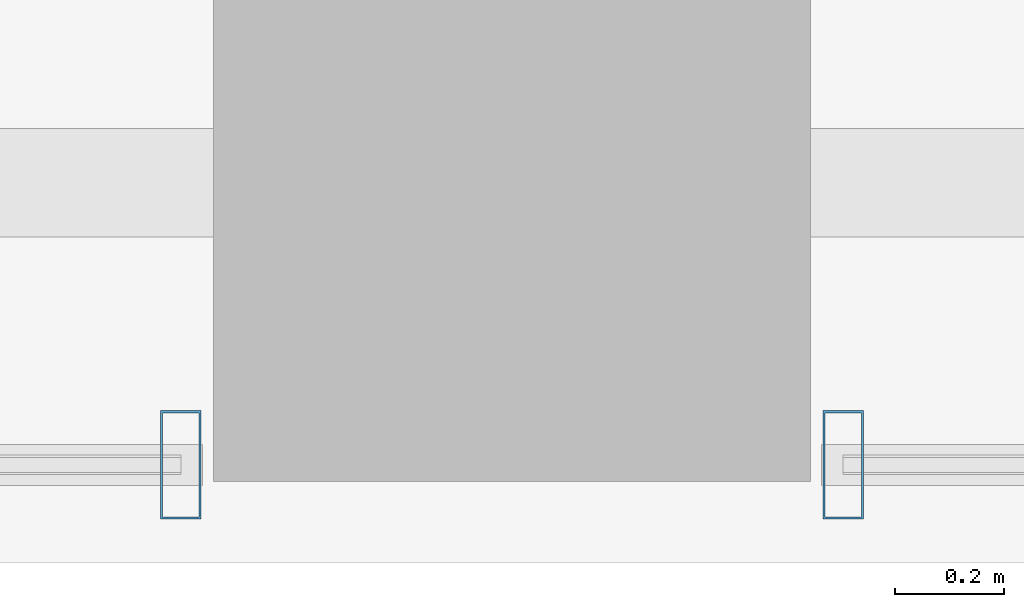
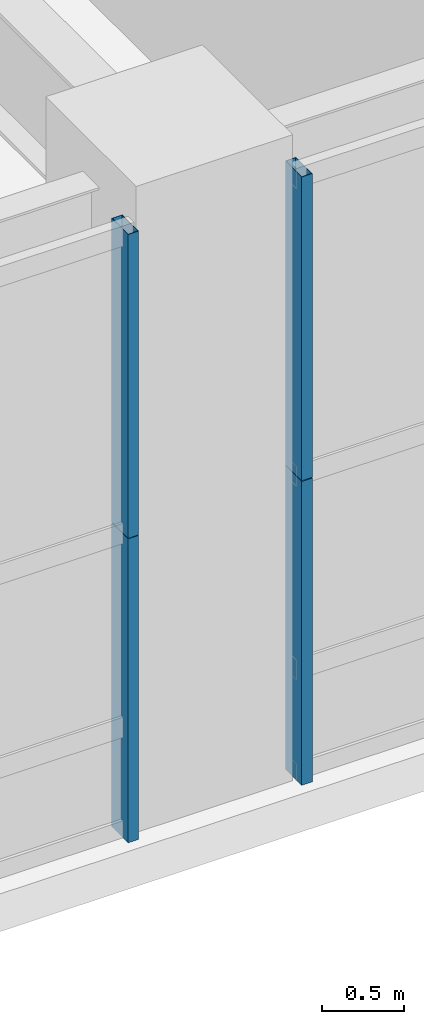
# One storey, part 11 of 39: 4 members, 2 elements without a shape of their own.
"""IFC4 building model written with IfcOpenShell, lengths in metres."""

from ifc_helpers import new_model, si_unit, direction, frame, origin, origin_2d, place, context, subcontext, project, spatial, hollow_rectangle, extrude, source, transform, mapped, material, layer, layer_set, material_profile, profile_set, type_object, element, aggregate, save


model = new_model("IFC4")

# Units and contexts
model_context = context("Model", 3, precision=1e-05, world=origin(), true_north=direction((0.0, 1.0)))
body_context = subcontext(model_context, "Body", "Model", "MODEL_VIEW")
ifc_project = project(units=[si_unit("LENGTHUNIT", "METRE"), si_unit("AREAUNIT", "SQUARE_METRE"), si_unit("VOLUMEUNIT", "CUBIC_METRE"), si_unit("PLANEANGLEUNIT", "RADIAN"), si_unit("MASSUNIT", "GRAM", prefix="KILO"), si_unit("THERMODYNAMICTEMPERATUREUNIT", "KELVIN"), si_unit("POWERUNIT", "WATT")], contexts=[model_context])

# Site, building, storey
site_placement = place(None, origin())
site = spatial("IfcSite", under=ifc_project, at=site_placement, CompositionType="ELEMENT")
building_placement = place(site_placement, origin())
building = spatial("IfcBuilding", under=site, at=building_placement, Name="Yuzanri Waterfront Tower", CompositionType="ELEMENT")
storey_placement = place(building_placement, frame((0.0, 0.0, 15.0)))
storey = spatial("IfcBuildingStorey", under=building, at=storey_placement, Name="L04", CompositionType="ELEMENT", Elevation=15.0)

# Curtain wall, members
ifc_material_1 = material(Name="Anodized Architectural Bronze", Category="metal")
ifc_layer = layer(ifc_material_1, 0.159912109375)
ifc_layer_set = layer_set([ifc_layer], Name="Anodized Architectural Bronze")
curtain_wall_type = type_object("IfcCurtainWallType", Name="Anodized Bronze Podium Waterfront Double-Height Unitized Curtain Wall 8400", PredefinedType="NOTDEFINED", material=ifc_layer_set)
curtain_wall_1_placement = place(storey_placement, origin())
curtain_wall_1 = element("IfcCurtainWall", 1, at=curtain_wall_1_placement, inside=storey, type_object=curtain_wall_type, Name="L04 Curtain Wall CW-L04-S1", PredefinedType="NOTDEFINED")
ifc_material_2 = material(Name="Anodized Architectural Bronze", Category="metal")
ifc_material_profile = material_profile(ifc_material_2, hollow_rectangle(XDim=0.074951171875, YDim=0.199951171875, WallThickness=0.00390625, at=origin_2d()), Name="CWM 75x200")
ifc_profile_set = profile_set([ifc_material_profile], Name="Anodized Architectural Bronze")
member_type = type_object("IfcMemberType", Name="Anodized Bronze Primary Curtain-Wall Mullion 75x200", PredefinedType="MULLION", material=ifc_profile_set)
shared_shape = source(origin(), body_context, "Body", "SweptSolid", [
    extrude(hollow_rectangle(XDim=0.074951171875, YDim=0.199951171875, WallThickness=0.00390625, at=origin_2d()), origin(), (0.0, 0.0, 1.0), 2.258056640625),
])
member_1_placement = place(storey_placement, frame((36.389892578125, 1.97998046875, 0.0), z_axis=(0.0, 0.0, 1.0), x_axis=(1.0, 0.0, 0.0)))
member_1 = element("IfcMember", 2, at=member_1_placement, type_object=member_type, Name="CW-L04-S1 Lower Mullion 02", PredefinedType="MULLION", context=body_context, shape_type="MappedRepresentation", body=[
    mapped(shared_shape, transform((0.0, 0.0, 0.0), scale=1.0)),
])
member_2_placement = place(storey_placement, frame((36.389892578125, 1.97998046875, 2.261962890625), z_axis=(0.0, 0.0, 1.0), x_axis=(1.0, 0.0, 0.0)))
member_2 = element("IfcMember", 3, at=member_2_placement, type_object=member_type, Name="CW-L04-S1 Upper Mullion 02", PredefinedType="MULLION", context=body_context, shape_type="MappedRepresentation", body=[
    mapped(shared_shape, transform((0.0, 0.0, 0.0), scale=1.0)),
])
aggregate(curtain_wall_1, [member_1, member_2])

curtain_wall_2_placement = place(storey_placement, origin())
curtain_wall_2 = element("IfcCurtainWall", 4, at=curtain_wall_2_placement, inside=storey, type_object=curtain_wall_type, Name="L04 Curtain Wall CW-L04-S2", PredefinedType="NOTDEFINED")
member_3_placement = place(storey_placement, frame((37.610107421875, 1.97998046875, 0.0), z_axis=(0.0, 0.0, 1.0), x_axis=(1.0, 0.0, 0.0)))
member_3 = element("IfcMember", 5, at=member_3_placement, type_object=member_type, Name="CW-L04-S2 Lower Mullion 00", PredefinedType="MULLION", context=body_context, shape_type="MappedRepresentation", body=[
    mapped(shared_shape, transform((0.0, 0.0, 0.0), scale=1.0)),
])
member_4_placement = place(storey_placement, frame((37.610107421875, 1.97998046875, 2.261962890625), z_axis=(0.0, 0.0, 1.0), x_axis=(1.0, 0.0, 0.0)))
member_4 = element("IfcMember", 6, at=member_4_placement, type_object=member_type, Name="CW-L04-S2 Upper Mullion 00", PredefinedType="MULLION", context=body_context, shape_type="MappedRepresentation", body=[
    mapped(shared_shape, transform((0.0, 0.0, 0.0), scale=1.0)),
])
aggregate(curtain_wall_2, [member_3, member_4])

save(model, "model.ifc")
